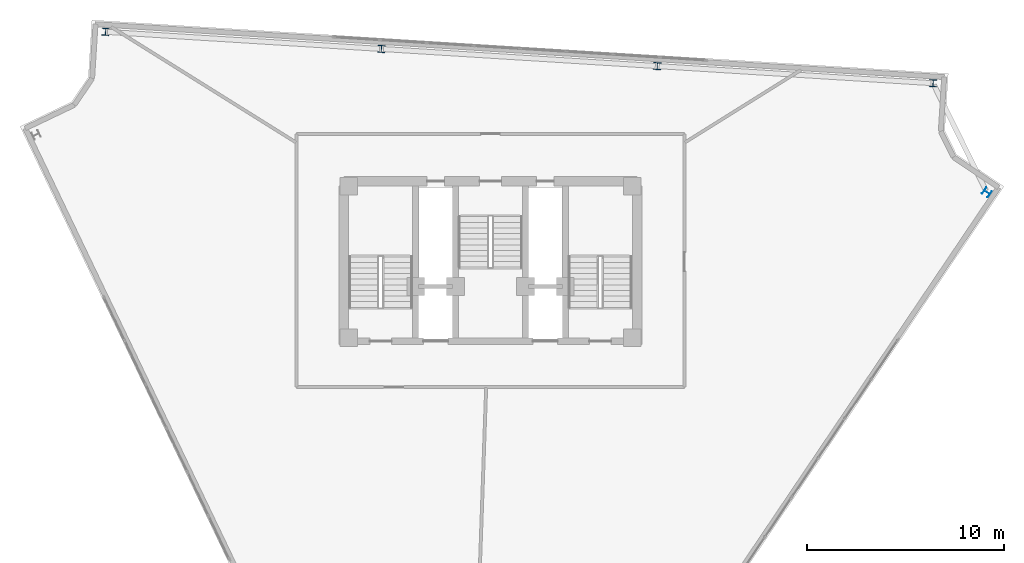
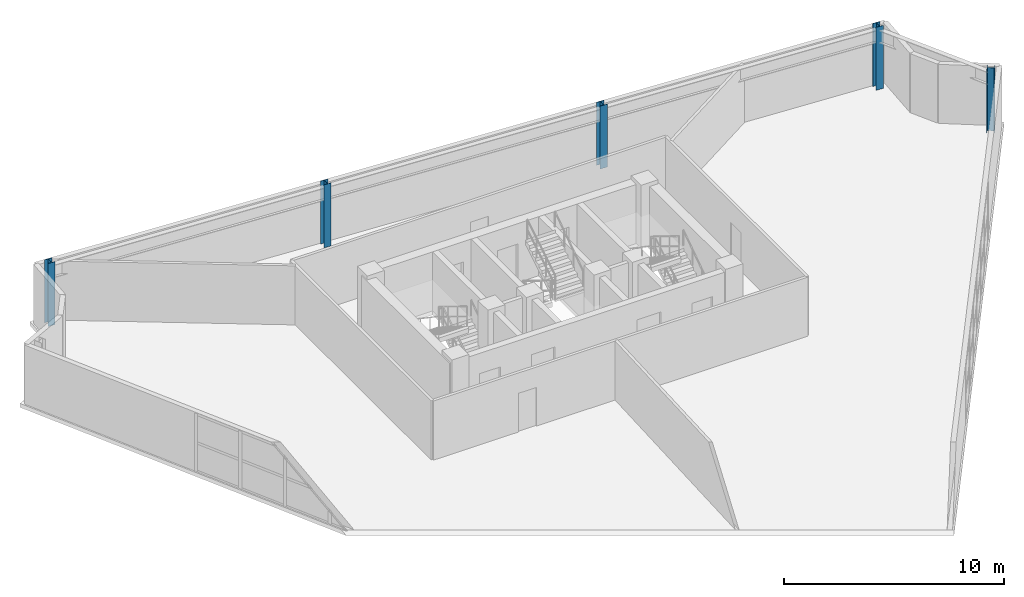
# One storey, part 2 of 8: 5 columns.
"""IFC4 building model written with IfcOpenShell, lengths in metres."""

from ifc_helpers import new_model, si_unit, direction, frame, origin, origin_2d, place, context, subcontext, project, spatial, i_section, extrude, material, material_profile, profile_set, type_object, element, save


model = new_model("IFC4")

# Units and contexts
model_context = context("Model", 3, precision=1e-05, world=origin(), true_north=direction((0.0, 1.0)))
body_context = subcontext(model_context, "Body", "Model", "MODEL_VIEW")
ifc_project = project(units=[si_unit("LENGTHUNIT", "METRE"), si_unit("AREAUNIT", "SQUARE_METRE"), si_unit("VOLUMEUNIT", "CUBIC_METRE"), si_unit("PLANEANGLEUNIT", "RADIAN"), si_unit("MASSUNIT", "GRAM", prefix="KILO")], contexts=[model_context])

# Site, building, storey
site_placement = place(None, origin())
site = spatial("IfcSite", under=ifc_project, at=site_placement, CompositionType="ELEMENT")
building_placement = place(site_placement, origin())
building = spatial("IfcBuilding", under=site, at=building_placement, Name="Apsidion Concourse Tower", CompositionType="ELEMENT")
storey_placement = place(building_placement, frame((0.0, 0.0, 336.0)))
storey = spatial("IfcBuildingStorey", under=building, at=storey_placement, Name="L79", CompositionType="ELEMENT", Elevation=336.0)

# Columns
ifc_material = material(Name="Structural steel ASTM A992 Grade 50", Category="steel")
ifc_material_profile = material_profile(ifc_material, i_section(OverallWidth=0.367919921875, OverallDepth=0.35595703125, WebThickness=0.01123046875, FlangeThickness=0.01806640625, at=origin_2d()), Name="W14X90")
ifc_profile_set = profile_set([ifc_material_profile], Name="Structural steel ASTM A992 Grade 50")
column_type = type_object("IfcColumnType", Name="COL-W14-90", PredefinedType="COLUMN", material=ifc_profile_set)
for number, where, z_axis, x_axis, name in (
    (1, (25.208984375, 8.83251953125, 0.0), (0.0, 0.0, 1.0), (0.559192903471, 0.829037572555, 0.0), "L79 Rotated Perimeter Column PC08"),
    (2, (22.47705078125, 14.378662109375, 0.0), (0.0, 0.0, 1.0), (-0.998081143466, 0.061919553109, 0.0), "L79 Rotated Perimeter Column PC09"),
    (3, (8.469482421875, 15.24853515625, 0.0), (0.0, 0.0, 1.0), (-0.998081143466, 0.061919553109, 0.0), "L79 Rotated Perimeter Column PC10"),
    (4, (-5.5380859375, 16.118408203125, 0.0), (0.0, 0.0, 1.0), (-0.998081143466, 0.061919553109, 0.0), "L79 Rotated Perimeter Column PC11"),
    (5, (-19.5458984375, 16.98828125, 0.0), (0.0, 0.0, 1.0), (-0.998081143466, 0.061919553109, 0.0), "L79 Rotated Perimeter Column PC12"),
):
    element("IfcColumn", number, at=place(storey_placement, frame(where, z_axis=z_axis, x_axis=x_axis)), inside=storey, type_object=column_type, Name=name, PredefinedType="COLUMN", context=body_context, shape_type="SweptSolid", body=[
        extrude(i_section(OverallWidth=0.367919921875, OverallDepth=0.35595703125, WebThickness=0.01123046875, FlangeThickness=0.01806640625, at=origin_2d()), origin(), (0.0, 0.0, 1.0), 3.5),
    ])

save(model, "model.ifc")
